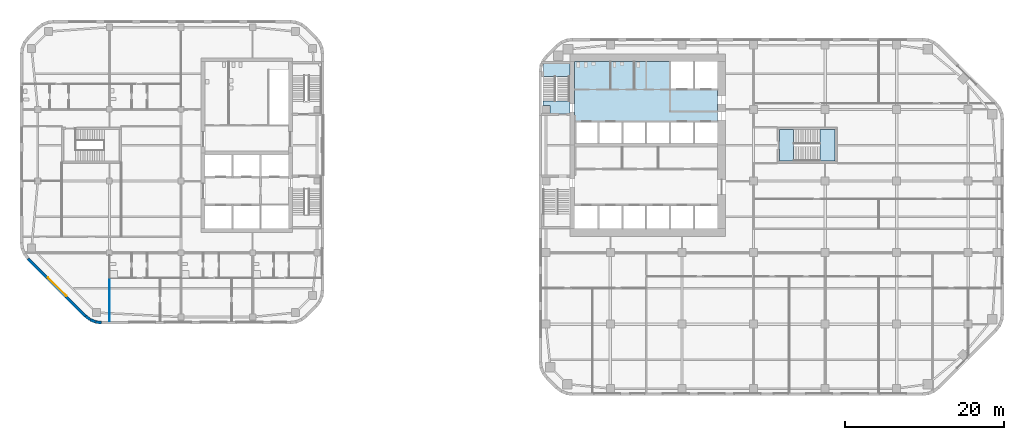
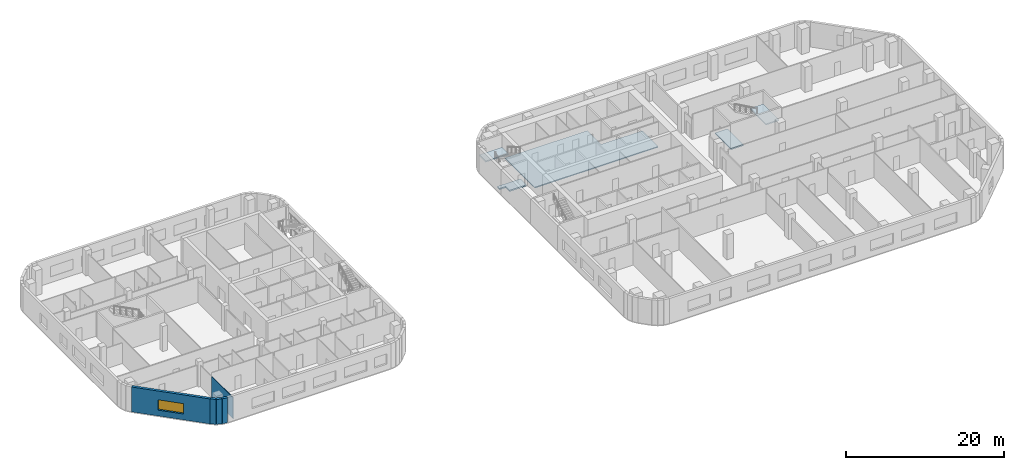
# One storey, part 4 of 16: 5 slabs, 5 walls, 1 window, 1 opening, 2 elements without a shape of their own.
"""IFC4 building model written with IfcOpenShell, lengths in metres."""

from ifc_helpers import new_model, si_unit, direction, frame, frame_2d, origin, place, context, subcontext, project, spatial, polyline, rectangle, outline, extrude, material, layer, layer_set, type_object, element, fill, aggregate, save


model = new_model("IFC4")

# Units and contexts
model_context = context("Model", 3, precision=1e-05, world=origin(), true_north=direction((0.0, 1.0)))
body_context = subcontext(model_context, "Body", "Model", "MODEL_VIEW")
ifc_project = project(units=[si_unit("LENGTHUNIT", "METRE"), si_unit("AREAUNIT", "SQUARE_METRE"), si_unit("VOLUMEUNIT", "CUBIC_METRE"), si_unit("PLANEANGLEUNIT", "RADIAN"), si_unit("MASSUNIT", "GRAM", prefix="KILO")], contexts=[model_context])

# Site, building, storey
site_placement = place(None, origin())
site = spatial("IfcSite", under=ifc_project, at=site_placement, CompositionType="ELEMENT")
building_placement = place(site_placement, origin())
building = spatial("IfcBuilding", under=site, at=building_placement, Name="Cinnabar Reach Civic Tower", CompositionType="ELEMENT")
storey_placement = place(building_placement, frame((0.0, 0.0, 55.0)))
storey = spatial("IfcBuildingStorey", under=building, at=storey_placement, Name="L12", CompositionType="ELEMENT", Elevation=55.0)

# Stair, slabs
ifc_material_1 = material(Name="Concrete C40/50", Category="concrete")
stair_type = type_object("IfcStairType", Name="T1 Exit stair, half-turn", PredefinedType="HALF_TURN_STAIR", material=ifc_material_1)
stair_1_placement = place(storey_placement, origin())
stair_1 = element("IfcStair", 1, at=stair_1_placement, inside=storey, type_object=stair_type, Name="Stair T1-S2", PredefinedType="HALF_TURN_STAIR")
ifc_layer_1 = layer(ifc_material_1, 0.2)
ifc_layer_set_1 = layer_set([ifc_layer_1], Name="T1 Stair landing 200, Concrete C40/50")
slab_type_1 = type_object("IfcSlabType", Name="T1 Stair landing 200, Concrete C40/50", PredefinedType="LANDING", material=ifc_layer_set_1)
slab_1_placement = place(storey_placement, frame((0.0, 0.0, -0.2)))
slab_1 = element("IfcSlab", 2, at=slab_1_placement, type_object=slab_type_1, Name="T1-S2 landing 1", PredefinedType="LANDING", context=body_context, shape_type="SweptSolid", body=[
    extrude(outline(polyline([(0.5, 37.05), (3.9, 37.05), (3.9, 35.5), (1.4, 35.5), (1.4, 36.5), (0.5, 36.5), (0.5, 37.05)])), origin(), (0.0, 0.0, 1.0), 0.2),
])
slab_2_placement = place(storey_placement, frame((0.0, 0.0, 1.8)))
slab_2 = element("IfcSlab", 3, at=slab_2_placement, type_object=slab_type_1, Name="T1-S2 landing 2", PredefinedType="LANDING", context=body_context, shape_type="SweptSolid", body=[
    extrude(outline(polyline([(0.6, 40.13), (0.6, 41.75), (3.9, 41.75), (3.9, 40.13), (0.6, 40.13)])), origin(), (0.0, 0.0, 1.0), 0.2),
])
aggregate(stair_1, [slab_1, slab_2])

stair_2_placement = place(storey_placement, origin())
stair_2 = element("IfcStair", 4, at=stair_2_placement, inside=storey, type_object=stair_type, Name="Stair T1-S3", PredefinedType="HALF_TURN_STAIR")
slab_3_placement = place(storey_placement, frame((0.0, 0.0, -0.2)))
slab_3 = element("IfcSlab", 5, at=slab_3_placement, type_object=slab_type_1, Name="T1-S3 landing 1", PredefinedType="LANDING", context=body_context, shape_type="SweptSolid", body=[
    extrude(outline(polyline([(30.25, 29.5), (32.05, 29.5), (32.05, 33.5), (30.25, 33.5), (30.25, 29.5)])), origin(), (0.0, 0.0, 1.0), 0.2),
])
slab_4_placement = place(storey_placement, frame((0.0, 0.0, 1.8)))
slab_4 = element("IfcSlab", 6, at=slab_4_placement, type_object=slab_type_1, Name="T1-S3 landing 2", PredefinedType="LANDING", context=body_context, shape_type="SweptSolid", body=[
    extrude(outline(polyline([(35.35, 29.5), (37.25, 29.5), (37.25, 33.5), (35.35, 33.5), (35.35, 29.5)])), origin(), (0.0, 0.0, 1.0), 0.2),
])
aggregate(stair_2, [slab_3, slab_4])

# Slab
ifc_layer_2 = layer(ifc_material_1, 0.15)
ifc_layer_set_2 = layer_set([ifc_layer_2], Name="T1 core floor slab 150")
slab_type_2 = type_object("IfcSlabType", Name="T1 core floor slab 150", PredefinedType="FLOOR", material=ifc_layer_set_2)
slab_5_placement = place(storey_placement, frame((0.0, 0.0, -0.15)))
element("IfcSlab", 7, at=slab_5_placement, inside=storey, type_object=slab_type_2, Name="Core floor slab L12", PredefinedType="FLOOR", context=body_context, shape_type="SweptSolid", body=[
    extrude(outline(polyline([(22.5, 34.5), (19.5, 34.5), (16.5, 34.5), (13.5, 34.5), (10.5, 34.5), (7.5, 34.5), (4.5, 34.5), (4.5, 42.0), (16.5, 42.0), (16.5, 38.5), (19.5, 38.5), (22.5, 38.5), (22.5, 34.5)])), origin(), (0.0, 0.0, 1.0), 0.15),
])

# Walls
ifc_material_2 = material(Name="Facing brick with insulated backing", Category="masonry")
ifc_layer_3 = layer(ifc_material_2, 0.36)
ifc_layer_set_3 = layer_set([ifc_layer_3], Name="Brick corner wall")
wall_type_1 = type_object("IfcWallType", Name="Brick corner wall", PredefinedType="STANDARD", material=ifc_layer_set_3)
wall_1_placement = place(storey_placement, frame((-56.9913, 10.0002, 0.0), z_axis=(0.0, 0.0, 1.0), x_axis=(0.793321924995, -0.608802368033, 0.0)))
element("IfcWall", 8, at=wall_1_placement, inside=storey, type_object=wall_type_1, Name="Brick corner wall", PredefinedType="STANDARD", context=body_context, shape_type="SweptSolid", body=[
    extrude(rectangle(XDim=0.7132, YDim=0.36, at=frame_2d((0.3566, 0.0))), origin(), (0.0, 0.0, 1.0), 3.85),
])
for number, where, z_axis, x_axis, name in (
    (9, (-56.4061, 9.5548, 0.0), (0.0, 0.0, 1.0), (0.923871547278, -0.382702709855, 0.0), "Brick corner wall"),
    (10, (-55.7256, 9.2761, 0.0), (0.0, 0.0, 1.0), (0.99144092581, -0.13055608231, 0.0), "Brick corner wall"),
):
    element("IfcWall", number, at=place(storey_placement, frame(where, z_axis=z_axis, x_axis=x_axis)), inside=storey, type_object=wall_type_1, Name=name, PredefinedType="STANDARD", context=body_context, shape_type="SweptSolid", body=[
        extrude(rectangle(XDim=0.7131, YDim=0.36, at=frame_2d((0.3565, 0.0))), origin(), (0.0, 0.0, 1.0), 3.85),
    ])

# Wall, opening, window
ifc_layer_4 = layer(ifc_material_2, 0.36)
ifc_layer_set_4 = layer_set([ifc_layer_4], Name="Brick pier and spandrel wall")
wall_type_2 = type_object("IfcWallType", Name="Brick pier and spandrel wall", PredefinedType="STANDARD", material=ifc_layer_set_4)
wall_2_placement = place(storey_placement, frame((-64.244, 17.2486, 0.0), z_axis=(0.0, 0.0, 1.0), x_axis=(0.707106781187, -0.707106781187, 0.0)))
wall_2 = element("IfcWall", 11, at=wall_2_placement, inside=storey, type_object=wall_type_2, Name="Brick facade wall", PredefinedType="STANDARD", context=body_context, shape_type="SweptSolid", body=[
    extrude(rectangle(XDim=10.2426, YDim=0.36, at=frame_2d((5.1213, 0.0))), origin(), (0.0, 0.0, 1.0), 3.85),
])
opening_placement = place(wall_2_placement, frame((3.4713, 0.0, 0.9)))
opening = element("IfcOpeningElement", 12, at=opening_placement, cuts=wall_2, Name="Opening W2514", PredefinedType="OPENING", context=body_context, shape_type="SweptSolid", body=[
    extrude(rectangle(XDim=3.3, YDim=1.6, at=frame_2d((1.65, 0.8))), frame((0.0, 0.19, 0.0), z_axis=(0.0, -1.0, 0.0), x_axis=(1.0, 0.0, 0.0)), (0.0, 0.0, 1.0), 0.38),
])
ifc_material_3 = material(Name="Clear double glazing in aluminium frame", Category="aluminium")
window_type = type_object("IfcWindowType", Name="Deep-set window A", PartitioningType="SINGLE_PANEL", PredefinedType="WINDOW", material=ifc_material_3)
window_placement = place(opening_placement, origin())
window = element("IfcWindow", 13, at=window_placement, inside=storey, type_object=window_type, Name="Window southwest face", OverallHeight=1.6, OverallWidth=3.3, PartitioningType="SINGLE_PANEL", PredefinedType="WINDOW", context=body_context, shape_type="SweptSolid", body=[
    extrude(rectangle(XDim=3.3, YDim=1.6, at=frame_2d((1.65, 0.8))), frame((0.0, 0.13, 0.0), z_axis=(0.0, -1.0, 0.0), x_axis=(1.0, 0.0, 0.0)), (0.0, 0.0, 1.0), 0.06),
])
fill(opening, window)

# Wall
ifc_material_4 = material(Name="Gypsum board on steel studs", Category="steel")
ifc_layer_5 = layer(ifc_material_4, 0.1)
ifc_layer_set_5 = layer_set([ifc_layer_5], Name="Partition wall 100 T2")
wall_type_3 = type_object("IfcWallType", Name="Partition wall 100 T2", PredefinedType="PARTITIONING", material=ifc_layer_set_5)
wall_3_placement = place(storey_placement, frame((-54.0, 9.36, 0.0), z_axis=(0.0, 0.0, 1.0), x_axis=(0.0, 1.0, 0.0)))
element("IfcWall", 14, at=wall_3_placement, inside=storey, type_object=wall_type_3, Name="Partition wall 26", PredefinedType="PARTITIONING", context=body_context, shape_type="SweptSolid", body=[
    extrude(rectangle(XDim=5.39, YDim=0.1, at=frame_2d((2.695, 0.0))), origin(), (0.0, 0.0, 1.0), 3.256),
])

save(model, "model.ifc")
